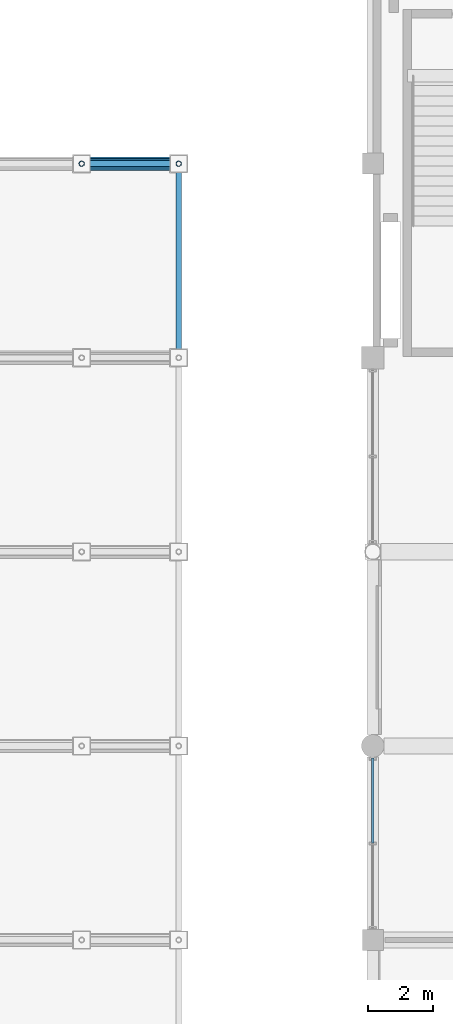
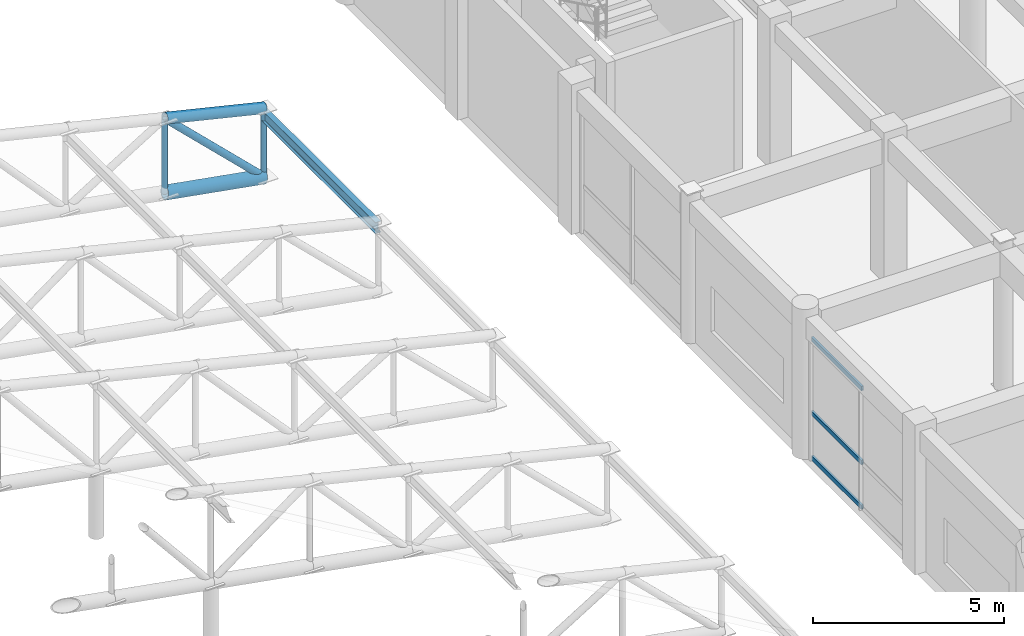
# One storey, part 67 of 112: 8 members, 1 beam, 1 element without a shape of its own.
"""IFC4 building model written with IfcOpenShell, lengths in metres."""

from ifc_helpers import new_model, si_unit, direction, frame, origin, origin_2d, place, context, subcontext, project, spatial, hollow_rectangle, hollow_circle, i_section, extrude, material, material_profile, profile_set, type_object, element, aggregate, save


model = new_model("IFC4")

# Units and contexts
model_context = context("Model", 3, precision=1e-05, world=origin(), true_north=direction((0.0, 1.0)))
body_context = subcontext(model_context, "Body", "Model", "MODEL_VIEW")
ifc_project = project(units=[si_unit("LENGTHUNIT", "METRE"), si_unit("AREAUNIT", "SQUARE_METRE"), si_unit("VOLUMEUNIT", "CUBIC_METRE"), si_unit("PLANEANGLEUNIT", "RADIAN"), si_unit("MASSUNIT", "GRAM", prefix="KILO"), si_unit("THERMODYNAMICTEMPERATUREUNIT", "KELVIN"), si_unit("POWERUNIT", "WATT")], contexts=[model_context])

# Site, building, storey
site_placement = place(None, origin())
site = spatial("IfcSite", under=ifc_project, at=site_placement, CompositionType="ELEMENT")
building_placement = place(site_placement, origin())
building = spatial("IfcBuilding", under=site, at=building_placement, Name="Phaisarnlok Congress Hotel", CompositionType="ELEMENT")
storey_placement = place(building_placement, frame((0.0, 0.0, 19.800048828125)))
storey = spatial("IfcBuildingStorey", under=building, at=storey_placement, Name="L04", CompositionType="ELEMENT", Elevation=19.800048828125)

# Curtain wall, members
ifc_material_1 = material(Name="Thermally Broken Unitised Aluminium & Low-E Glazing", Category="aluminium")
curtain_wall_type = type_object("IfcCurtainWallType", Name="CW-UNIT-33", PredefinedType="NOTDEFINED", material=ifc_material_1)
curtain_wall_placement = place(storey_placement, origin())
curtain_wall = element("IfcCurtainWall", 1, at=curtain_wall_placement, inside=storey, type_object=curtain_wall_type, Name="Unitised curtain wall CW-33 (L04)", PredefinedType="NOTDEFINED")
ifc_material_2 = material(Name="Anodised Aluminium Alloy 6063-T6", Category="aluminium")
ifc_material_profile_1 = material_profile(ifc_material_2, hollow_rectangle(XDim=0.06494140625, YDim=0.139892578125, WallThickness=0.00390625, at=origin_2d()), Name="ALU-T 65x140x4")
ifc_profile_set_1 = profile_set([ifc_material_profile_1], Name="Anodised Aluminium Alloy 6063-T6")
member_type_1 = type_object("IfcMemberType", Name="CWT-150", PredefinedType="USERDEFINED", material=ifc_profile_set_1)
member_1_placement = place(storey_placement, frame((162.0, 65.625, 0.050048828125), z_axis=(0.0, -1.0, 0.0), x_axis=(1.0, 0.0, 0.0)))
member_1 = element("IfcMember", 2, at=member_1_placement, type_object=member_type_1, Name="Curtain wall transom CWT-01", ObjectType="TRANSOM", PredefinedType="USERDEFINED", context=body_context, shape_type="SweptSolid", body=[
    extrude(hollow_rectangle(XDim=0.06494140625, YDim=0.139892578125, WallThickness=0.00390625, at=origin_2d()), origin(), (0.0, 0.0, 1.0), 2.62255859375),
])
member_2_placement = place(storey_placement, frame((162.0, 65.625, 1.48193359375), z_axis=(0.0, -1.0, 0.0), x_axis=(1.0, 0.0, 0.0)))
member_2 = element("IfcMember", 3, at=member_2_placement, type_object=member_type_1, Name="Curtain wall transom CWT-01", ObjectType="TRANSOM", PredefinedType="USERDEFINED", context=body_context, shape_type="SweptSolid", body=[
    extrude(hollow_rectangle(XDim=0.06494140625, YDim=0.139892578125, WallThickness=0.00390625, at=origin_2d()), origin(), (0.0, 0.0, 1.0), 2.62255859375),
])
member_3_placement = place(storey_placement, frame((162.0, 65.625, 3.849853515625), z_axis=(0.0, -1.0, 0.0), x_axis=(1.0, 0.0, 0.0)))
member_3 = element("IfcMember", 4, at=member_3_placement, type_object=member_type_1, Name="Curtain wall transom CWT-01", ObjectType="TRANSOM", PredefinedType="USERDEFINED", context=body_context, shape_type="SweptSolid", body=[
    extrude(hollow_rectangle(XDim=0.06494140625, YDim=0.139892578125, WallThickness=0.00390625, at=origin_2d()), origin(), (0.0, 0.0, 1.0), 2.62255859375),
])
aggregate(curtain_wall, [member_1, member_2, member_3])

# Beam
ifc_material_3 = material(Name="Steel S355", Category="steel")
ifc_material_profile_2 = material_profile(ifc_material_3, i_section(OverallWidth=0.169921875, OverallDepth=0.360107421875, WebThickness=0.008056640625, FlangeThickness=0.0126953125, FilletRadius=0.01806640625, at=origin_2d()), Name="IPE 360")
ifc_profile_set_2 = profile_set([ifc_material_profile_2], Name="Steel S355")
beam_type = type_object("IfcBeamType", Name="JS-STL-IPE360", PredefinedType="JOIST", material=ifc_profile_set_2)
beam_placement = place(storey_placement, frame((156.0, 78.0, 2.008056640625), z_axis=(0.0, 1.0, 0.0), x_axis=(-1.0, 0.0, 0.0)))
element("IfcBeam", 5, at=beam_placement, inside=storey, type_object=beam_type, Name="Cloister wing roof purlin", PredefinedType="JOIST", context=body_context, shape_type="SweptSolid", body=[
    extrude(i_section(OverallWidth=0.169921875, OverallDepth=0.360107421875, WebThickness=0.008056640625, FlangeThickness=0.0126953125, FilletRadius=0.01806640625, at=origin_2d()), origin(), (0.0, 0.0, 1.0), 6.0),
])

# Members
ifc_material_profile_3 = material_profile(ifc_material_3, hollow_circle(Radius=0.084228515625, WallThickness=0.010009765625, at=origin_2d()), Name="CHS 168.3x10")
ifc_profile_set_3 = profile_set([ifc_material_profile_3], Name="Steel S355")
member_type_2 = type_object("IfcMemberType", Name="MEM-BRC-CHS168", PredefinedType="BRACE", material=ifc_profile_set_3)
member_4_placement = place(storey_placement, frame((156.0, 84.0, 0.0), z_axis=(0.0, 0.0, 1.0), x_axis=(1.0, 0.0, 0.0)))
element("IfcMember", 6, at=member_4_placement, inside=storey, type_object=member_type_2, Name="Cloister wing roof truss vertical web", PredefinedType="BRACE", context=body_context, shape_type="SweptSolid", body=[
    extrude(hollow_circle(Radius=0.084228515625, WallThickness=0.010009765625, at=origin_2d()), origin(), (0.0, 0.0, 1.0), 2.199951171875),
])
member_5_placement = place(storey_placement, frame((153.0, 84.0, 0.533203125), z_axis=(0.0, 0.0, 1.0), x_axis=(1.0, 0.0, 0.0)))
element("IfcMember", 7, at=member_5_placement, inside=storey, type_object=member_type_2, Name="Cloister wing roof truss vertical web", PredefinedType="BRACE", context=body_context, shape_type="SweptSolid", body=[
    extrude(hollow_circle(Radius=0.084228515625, WallThickness=0.010009765625, at=origin_2d()), origin(), (0.0, 0.0, 1.0), 2.3828125),
])
ifc_material_profile_4 = material_profile(ifc_material_3, hollow_circle(Radius=0.109619140625, WallThickness=0.012451171875, at=origin_2d()), Name="CHS 219.1x12.5")
ifc_profile_set_4 = profile_set([ifc_material_profile_4], Name="Steel S355")
member_type_3 = type_object("IfcMemberType", Name="MEM-BRC-CHS219", PredefinedType="BRACE", material=ifc_profile_set_4)
member_6_placement = place(storey_placement, frame((156.0, 84.0, 0.0), z_axis=(-0.717072690854, 0.0, 0.696998390264), x_axis=(0.0, -1.0, 0.0)))
element("IfcMember", 8, at=member_6_placement, inside=storey, type_object=member_type_3, Name="Cloister wing roof truss diagonal brace", PredefinedType="BRACE", context=body_context, shape_type="SweptSolid", body=[
    extrude(hollow_circle(Radius=0.109619140625, WallThickness=0.012451171875, at=origin_2d()), origin(), (0.0, 0.0, 1.0), 4.18359375),
])
ifc_material_profile_5 = material_profile(ifc_material_3, hollow_circle(Radius=0.161865234375, WallThickness=0.01611328125, at=origin_2d()), Name="CHS 323.9x16")
ifc_profile_set_5 = profile_set([ifc_material_profile_5], Name="Steel S355")
member_type_4 = type_object("IfcMemberType", Name="MEM-CHD-CHS324", PredefinedType="CHORD", material=ifc_profile_set_5)
member_7_placement = place(storey_placement, frame((156.0, 84.0, 2.199951171875), z_axis=(-0.972676115692, 0.0, 0.232166263617), x_axis=(0.0, -1.0, 0.0)))
element("IfcMember", 9, at=member_7_placement, inside=storey, type_object=member_type_4, Name="Cloister wing roof truss top chord", PredefinedType="CHORD", context=body_context, shape_type="SweptSolid", body=[
    extrude(hollow_circle(Radius=0.161865234375, WallThickness=0.01611328125, at=origin_2d()), origin(), (0.0, 0.0, 1.0), 3.084228515625),
])
ifc_material_profile_6 = material_profile(ifc_material_3, hollow_circle(Radius=0.203125, WallThickness=0.02001953125, at=origin_2d()), Name="CHS 406.4x20")
ifc_profile_set_6 = profile_set([ifc_material_profile_6], Name="Steel S355")
member_type_5 = type_object("IfcMemberType", Name="MEM-CHD-CHS406", PredefinedType="CHORD", material=ifc_profile_set_6)
member_8_placement = place(storey_placement, frame((156.0, 84.0, 0.0), z_axis=(-0.984569871158, 0.0, 0.174991910694), x_axis=(0.0, -1.0, 0.0)))
element("IfcMember", 10, at=member_8_placement, inside=storey, type_object=member_type_5, Name="Cloister wing roof truss bottom chord", PredefinedType="CHORD", context=body_context, shape_type="SweptSolid", body=[
    extrude(hollow_circle(Radius=0.203125, WallThickness=0.02001953125, at=origin_2d()), origin(), (0.0, 0.0, 1.0), 3.047119140625),
])

save(model, "model.ifc")
